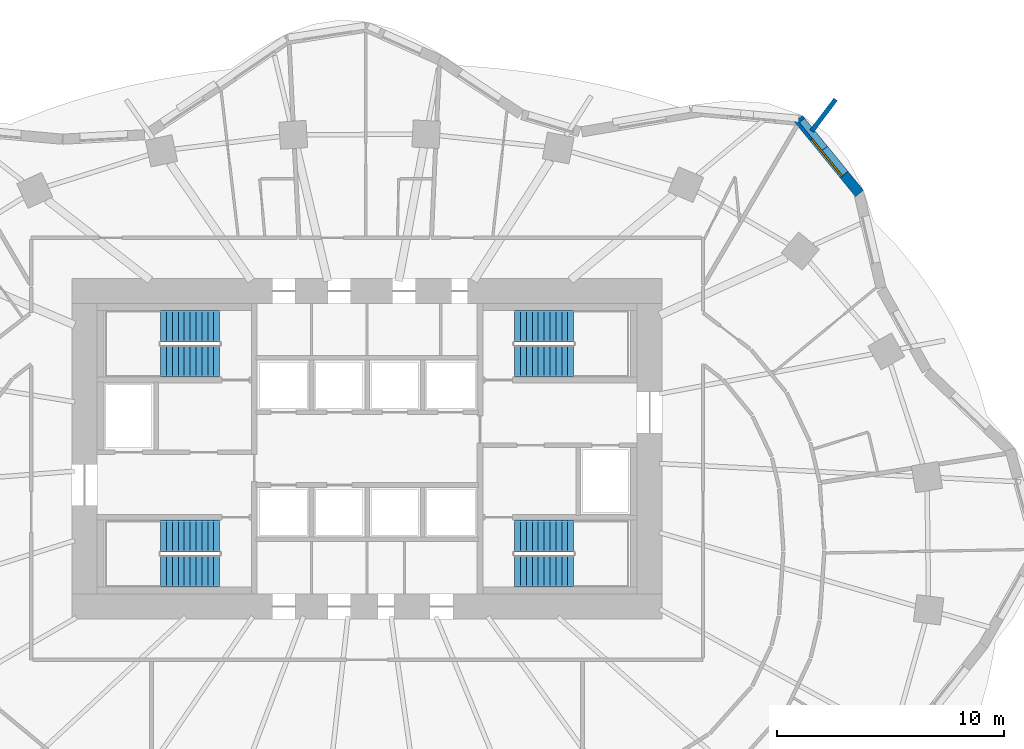
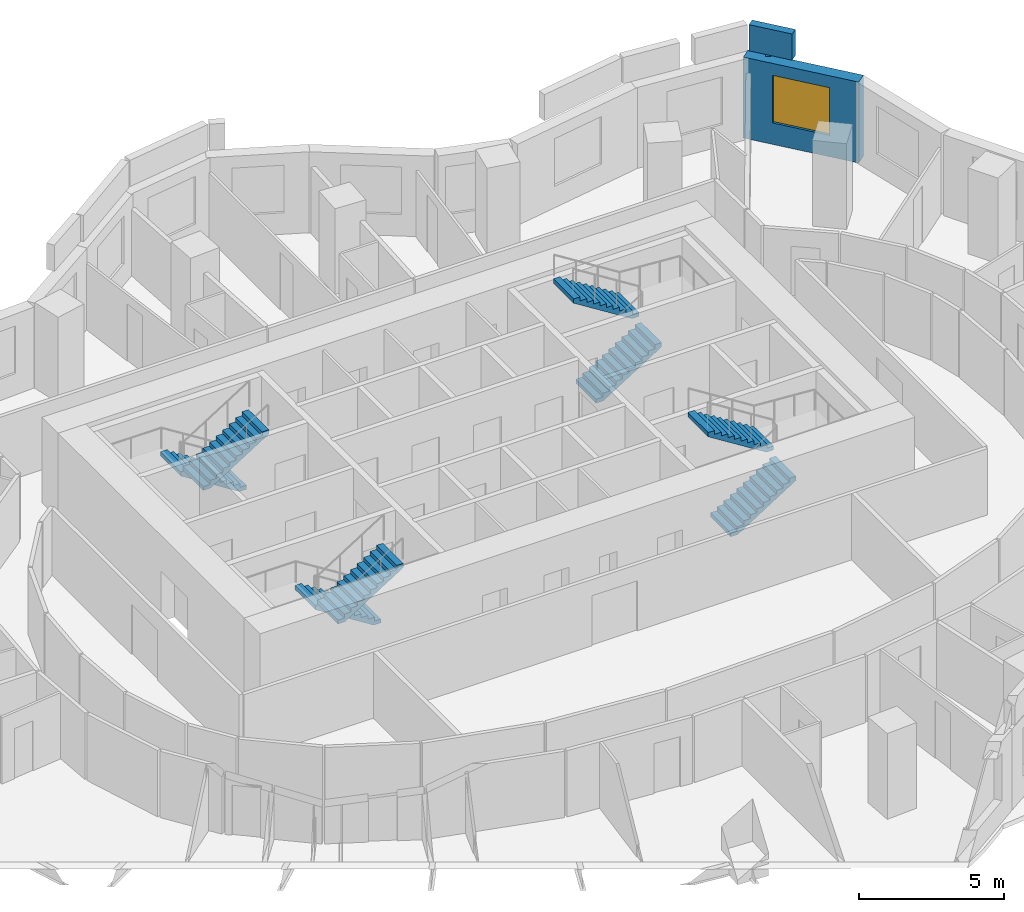
# One storey, part 10 of 11: 8 stair flights, 3 walls, 1 window, 1 opening, 4 elements without a shape of their own.
"""IFC4 building model written with IfcOpenShell, lengths in metres."""

from ifc_helpers import new_model, si_unit, direction, frame, frame_2d, origin, place, context, subcontext, project, spatial, polyline, rectangle, outline, extrude, material, layer, layer_set, type_object, element, fill, aggregate, save


model = new_model("IFC4")

# Units and contexts
model_context = context("Model", 3, precision=1e-05, world=origin(), true_north=direction((0.0, 1.0)))
body_context = subcontext(model_context, "Body", "Model", "MODEL_VIEW")
ifc_project = project(units=[si_unit("LENGTHUNIT", "METRE"), si_unit("AREAUNIT", "SQUARE_METRE"), si_unit("VOLUMEUNIT", "CUBIC_METRE"), si_unit("PLANEANGLEUNIT", "RADIAN"), si_unit("MASSUNIT", "GRAM", prefix="KILO")], contexts=[model_context])

# Site, building, storey
site_placement = place(None, origin())
site = spatial("IfcSite", under=ifc_project, at=site_placement, CompositionType="ELEMENT")
building_placement = place(site_placement, origin())
building = spatial("IfcBuilding", under=site, at=building_placement, Name="Rubra Terraces Tower", CompositionType="ELEMENT")
storey_placement = place(building_placement, frame((0.0, 0.0, 81.60009765625)))
storey = spatial("IfcBuildingStorey", under=building, at=storey_placement, Name="L18", CompositionType="ELEMENT", Elevation=81.60009765625)

# Wall, opening, window
ifc_material_1 = material(Name="Brick masonry red-brown", Category="masonry")
ifc_layer_1 = layer(ifc_material_1, 0.449951171875)
ifc_layer_set_1 = layer_set([ifc_layer_1], Name="Brick masonry red-brown")
wall_type_1 = type_object("IfcWallType", Name="Brick facade wall 450", PredefinedType="SOLIDWALL", material=ifc_layer_set_1)
wall_1_placement = place(storey_placement, frame((21.69580078125, 15.74755859375, 0.0), z_axis=(0.0, 0.0, 1.0), x_axis=(-0.632968710519, 0.774177377288, 0.0)))
wall_1 = element("IfcWall", 1, at=wall_1_placement, inside=storey, type_object=wall_type_1, Name="Facade wall L18 bay 5", PredefinedType="SOLIDWALL", context=body_context, shape_type="SweptSolid", body=[
    extrude(rectangle(XDim=4.249755859375, YDim=0.449951171875, at=frame_2d((2.125, 0.0))), origin(), (0.0, 0.0, 1.0), 3.39990234375),
])
opening_placement = place(wall_1_placement, frame((1.074951171875, 0.0, 0.89990234375)))
opening = element("IfcOpeningElement", 2, at=opening_placement, cuts=wall_1, Name="Opening W1", PredefinedType="OPENING", context=body_context, shape_type="SweptSolid", body=[
    extrude(rectangle(XDim=2.10009765625, YDim=2.0, at=frame_2d((1.050048828125, 1.0))), frame((0.0, 0.23486328125, 0.0), z_axis=(0.0, -1.0, 0.0), x_axis=(1.0, 0.0, 0.0)), (0.0, 0.0, 1.0), 0.469970703125),
])
ifc_material_2 = material(Name="Clear glass in aluminium frame", Category="aluminium")
window_type = type_object("IfcWindowType", Name="Fixed deep-set window 2100 x 2000", PartitioningType="SINGLE_PANEL", PredefinedType="WINDOW", material=ifc_material_2)
window_placement = place(opening_placement, origin())
window = element("IfcWindow", 3, at=window_placement, inside=storey, type_object=window_type, Name="Window L18 bay 5", OverallHeight=2.0, OverallWidth=2.10009765625, PartitioningType="SINGLE_PANEL", PredefinedType="WINDOW", context=body_context, shape_type="SweptSolid", body=[
    extrude(rectangle(XDim=2.10009765625, YDim=2.0, at=frame_2d((1.050048828125, 1.0))), frame((0.0, 0.135009765625, 0.0), z_axis=(0.0, -1.0, 0.0), x_axis=(1.0, 0.0, 0.0)), (0.0, 0.0, 1.0), 0.06005859375),
])
fill(opening, window)

# Walls
ifc_layer_2 = layer(ifc_material_1, 0.300048828125)
ifc_layer_set_2 = layer_set([ifc_layer_2], Name="Brick masonry red-brown")
wall_type_2 = type_object("IfcWallType", Name="Brick parapet 300", PredefinedType="PARAPET", material=ifc_layer_set_2)
wall_2_placement = place(storey_placement, frame((20.16845703125, 17.734130859375, 3.599853515625), z_axis=(0.0, 0.0, 1.0), x_axis=(-0.632995189145, 0.774155727564, 0.0)))
element("IfcWall", 4, at=wall_2_placement, inside=storey, type_object=wall_type_2, Name="Parapet L18 bay 5", PredefinedType="PARAPET", context=body_context, shape_type="SweptSolid", body=[
    extrude(rectangle(XDim=1.58935546875, YDim=0.300048828125, at=frame_2d((0.794677734375, 0.0))), origin(), (0.0, 0.0, 1.0), 1.10009765625),
])
ifc_layer_3 = layer(ifc_material_1, 0.199951171875)
ifc_layer_set_3 = layer_set([ifc_layer_3], Name="Brick masonry red-brown")
wall_type_3 = type_object("IfcWallType", Name="Brick wind fin 200", PredefinedType="SOLIDWALL", material=ifc_layer_set_3)
wall_3_placement = place(storey_placement, frame((19.591064453125, 18.498046875, 0.0), z_axis=(0.0, 0.0, 1.0), x_axis=(0.603387525063, 0.797448114048, 0.0)))
element("IfcWall", 5, at=wall_3_placement, inside=storey, type_object=wall_type_3, Name="Wind fin L18 3", PredefinedType="SOLIDWALL", context=body_context, shape_type="SweptSolid", body=[
    extrude(rectangle(XDim=1.75, YDim=0.199951171875, at=frame_2d((0.875, 0.0))), origin(), (0.0, 0.0, 1.0), 3.39990234375),
])

# Stair, stair flights
ifc_material_3 = material(Name="Concrete C40", Category="concrete")
stair_type = type_object("IfcStairType", Name="Core stair 1400", PredefinedType="HALF_TURN_STAIR", material=ifc_material_3)
stair_1_placement = place(storey_placement, origin())
stair_1 = element("IfcStair", 6, at=stair_1_placement, inside=storey, type_object=stair_type, Name="L18 Exit stair S1", PredefinedType="HALF_TURN_STAIR")
stair_flight_type = type_object("IfcStairFlightType", Name="Core stair flight 1400", PredefinedType="STRAIGHT", material=ifc_material_3)
stair_flight_1_placement = place(storey_placement, frame((-6.5, 0.64990234375, 0.0), z_axis=(0.0, 0.0, 1.0), x_axis=(-1.0, 0.0, 0.0)))
stair_flight_1 = element("IfcStairFlight", 7, at=stair_flight_1_placement, type_object=stair_flight_type, Name="S1 flight 1", NumberOfRisers=11, NumberOfTreads=10, PredefinedType="STRAIGHT", RiserHeight=0.163636364, TreadLength=0.26, context=body_context, shape_type="SweptSolid", body=[
    extrude(outline(polyline([(0.0, 0.0), (0.0, 0.16357421875), (0.260009765625, 0.16357421875), (0.260009765625, 0.327392578125), (0.52001953125, 0.327392578125), (0.52001953125, 0.490966796875), (0.780029296875, 0.490966796875), (0.780029296875, 0.654541015625), (1.0400390625, 0.654541015625), (1.0400390625, 0.818115234375), (1.300048828125, 0.818115234375), (1.300048828125, 0.98193359375), (1.56005859375, 0.98193359375), (1.56005859375, 1.1455078125), (1.820068359375, 1.1455078125), (1.820068359375, 1.30908203125), (2.080078125, 1.30908203125), (2.080078125, 1.47265625), (2.340087890625, 1.47265625), (2.340087890625, 1.636474609375), (2.60009765625, 1.636474609375), (2.60009765625, 1.800048828125), (2.60009765625, 1.459228515625), (0.281494140625, 0.0), (0.0, 0.0)])), frame((0.0, 0.699951171875, 0.0), z_axis=(0.0, -1.0, 0.0), x_axis=(1.0, 0.0, 0.0)), (0.0, 0.0, 1.0), 1.39990234375),
])
stair_flight_2_placement = place(storey_placement, frame((-9.10009765625, -0.89990234375, 1.7998046875), z_axis=(0.0, 0.0, 1.0), x_axis=(1.0, 0.0, 0.0)))
stair_flight_2 = element("IfcStairFlight", 8, at=stair_flight_2_placement, type_object=stair_flight_type, Name="S1 flight 2", NumberOfRisers=11, NumberOfTreads=10, PredefinedType="STRAIGHT", RiserHeight=0.163636364, TreadLength=0.26, context=body_context, shape_type="SweptSolid", body=[
    extrude(outline(polyline([(0.0, 0.0), (0.0, 0.16357421875), (0.260009765625, 0.16357421875), (0.260009765625, 0.327392578125), (0.52001953125, 0.327392578125), (0.52001953125, 0.490966796875), (0.780029296875, 0.490966796875), (0.780029296875, 0.654541015625), (1.0400390625, 0.654541015625), (1.0400390625, 0.818115234375), (1.300048828125, 0.818115234375), (1.300048828125, 0.98193359375), (1.56005859375, 0.98193359375), (1.56005859375, 1.1455078125), (1.820068359375, 1.1455078125), (1.820068359375, 1.30908203125), (2.080078125, 1.30908203125), (2.080078125, 1.47265625), (2.340087890625, 1.47265625), (2.340087890625, 1.636474609375), (2.60009765625, 1.636474609375), (2.60009765625, 1.800048828125), (2.60009765625, 1.459228515625), (0.281494140625, 0.0), (0.0, 0.0)])), frame((0.0, 0.699951171875, 0.0), z_axis=(0.0, -1.0, 0.0), x_axis=(1.0, 0.0, 0.0)), (0.0, 0.0, 1.0), 1.39990234375),
])
aggregate(stair_1, [stair_flight_1, stair_flight_2])

stair_2_placement = place(storey_placement, origin())
stair_2 = element("IfcStair", 9, at=stair_2_placement, inside=storey, type_object=stair_type, Name="L18 Exit stair S2", PredefinedType="HALF_TURN_STAIR")
stair_flight_3_placement = place(storey_placement, frame((-6.5, 9.89990234375, 0.0), z_axis=(0.0, 0.0, 1.0), x_axis=(-1.0, 0.0, 0.0)))
stair_flight_3 = element("IfcStairFlight", 10, at=stair_flight_3_placement, type_object=stair_flight_type, Name="S2 flight 1", NumberOfRisers=11, NumberOfTreads=10, PredefinedType="STRAIGHT", RiserHeight=0.163636364, TreadLength=0.26, context=body_context, shape_type="SweptSolid", body=[
    extrude(outline(polyline([(0.0, 0.0), (0.0, 0.16357421875), (0.260009765625, 0.16357421875), (0.260009765625, 0.327392578125), (0.52001953125, 0.327392578125), (0.52001953125, 0.490966796875), (0.780029296875, 0.490966796875), (0.780029296875, 0.654541015625), (1.0400390625, 0.654541015625), (1.0400390625, 0.818115234375), (1.300048828125, 0.818115234375), (1.300048828125, 0.98193359375), (1.56005859375, 0.98193359375), (1.56005859375, 1.1455078125), (1.820068359375, 1.1455078125), (1.820068359375, 1.30908203125), (2.080078125, 1.30908203125), (2.080078125, 1.47265625), (2.340087890625, 1.47265625), (2.340087890625, 1.636474609375), (2.60009765625, 1.636474609375), (2.60009765625, 1.800048828125), (2.60009765625, 1.459228515625), (0.281494140625, 0.0), (0.0, 0.0)])), frame((0.0, 0.699951171875, 0.0), z_axis=(0.0, -1.0, 0.0), x_axis=(1.0, 0.0, 0.0)), (0.0, 0.0, 1.0), 1.39990234375),
])
stair_flight_4_placement = place(storey_placement, frame((-9.10009765625, 8.35009765625, 1.7998046875), z_axis=(0.0, 0.0, 1.0), x_axis=(1.0, 0.0, 0.0)))
stair_flight_4 = element("IfcStairFlight", 11, at=stair_flight_4_placement, type_object=stair_flight_type, Name="S2 flight 2", NumberOfRisers=11, NumberOfTreads=10, PredefinedType="STRAIGHT", RiserHeight=0.163636364, TreadLength=0.26, context=body_context, shape_type="SweptSolid", body=[
    extrude(outline(polyline([(0.0, 0.0), (0.0, 0.16357421875), (0.260009765625, 0.16357421875), (0.260009765625, 0.327392578125), (0.52001953125, 0.327392578125), (0.52001953125, 0.490966796875), (0.780029296875, 0.490966796875), (0.780029296875, 0.654541015625), (1.0400390625, 0.654541015625), (1.0400390625, 0.818115234375), (1.300048828125, 0.818115234375), (1.300048828125, 0.98193359375), (1.56005859375, 0.98193359375), (1.56005859375, 1.1455078125), (1.820068359375, 1.1455078125), (1.820068359375, 1.30908203125), (2.080078125, 1.30908203125), (2.080078125, 1.47265625), (2.340087890625, 1.47265625), (2.340087890625, 1.636474609375), (2.60009765625, 1.636474609375), (2.60009765625, 1.800048828125), (2.60009765625, 1.459228515625), (0.281494140625, 0.0), (0.0, 0.0)])), frame((0.0, 0.699951171875, 0.0), z_axis=(0.0, -1.0, 0.0), x_axis=(1.0, 0.0, 0.0)), (0.0, 0.0, 1.0), 1.39990234375),
])
aggregate(stair_2, [stair_flight_3, stair_flight_4])

stair_3_placement = place(storey_placement, origin())
stair_3 = element("IfcStair", 12, at=stair_3_placement, inside=storey, type_object=stair_type, Name="L18 Exit stair S3", PredefinedType="HALF_TURN_STAIR")
stair_flight_5_placement = place(storey_placement, frame((6.5, 8.35009765625, 0.0), z_axis=(0.0, 0.0, 1.0), x_axis=(1.0, 0.0, 0.0)))
stair_flight_5 = element("IfcStairFlight", 13, at=stair_flight_5_placement, type_object=stair_flight_type, Name="S3 flight 1", NumberOfRisers=11, NumberOfTreads=10, PredefinedType="STRAIGHT", RiserHeight=0.163636364, TreadLength=0.26, context=body_context, shape_type="SweptSolid", body=[
    extrude(outline(polyline([(0.0, 0.0), (0.0, 0.16357421875), (0.260009765625, 0.16357421875), (0.260009765625, 0.327392578125), (0.52001953125, 0.327392578125), (0.52001953125, 0.490966796875), (0.780029296875, 0.490966796875), (0.780029296875, 0.654541015625), (1.0400390625, 0.654541015625), (1.0400390625, 0.818115234375), (1.300048828125, 0.818115234375), (1.300048828125, 0.98193359375), (1.56005859375, 0.98193359375), (1.56005859375, 1.1455078125), (1.820068359375, 1.1455078125), (1.820068359375, 1.30908203125), (2.080078125, 1.30908203125), (2.080078125, 1.47265625), (2.340087890625, 1.47265625), (2.340087890625, 1.636474609375), (2.60009765625, 1.636474609375), (2.60009765625, 1.800048828125), (2.60009765625, 1.459228515625), (0.281494140625, 0.0), (0.0, 0.0)])), frame((0.0, 0.699951171875, 0.0), z_axis=(0.0, -1.0, 0.0), x_axis=(1.0, 0.0, 0.0)), (0.0, 0.0, 1.0), 1.39990234375),
])
stair_flight_6_placement = place(storey_placement, frame((9.10009765625, 9.89990234375, 1.7998046875), z_axis=(0.0, 0.0, 1.0), x_axis=(-1.0, 0.0, 0.0)))
stair_flight_6 = element("IfcStairFlight", 14, at=stair_flight_6_placement, type_object=stair_flight_type, Name="S3 flight 2", NumberOfRisers=11, NumberOfTreads=10, PredefinedType="STRAIGHT", RiserHeight=0.163636364, TreadLength=0.26, context=body_context, shape_type="SweptSolid", body=[
    extrude(outline(polyline([(0.0, 0.0), (0.0, 0.16357421875), (0.260009765625, 0.16357421875), (0.260009765625, 0.327392578125), (0.52001953125, 0.327392578125), (0.52001953125, 0.490966796875), (0.780029296875, 0.490966796875), (0.780029296875, 0.654541015625), (1.0400390625, 0.654541015625), (1.0400390625, 0.818115234375), (1.300048828125, 0.818115234375), (1.300048828125, 0.98193359375), (1.56005859375, 0.98193359375), (1.56005859375, 1.1455078125), (1.820068359375, 1.1455078125), (1.820068359375, 1.30908203125), (2.080078125, 1.30908203125), (2.080078125, 1.47265625), (2.340087890625, 1.47265625), (2.340087890625, 1.636474609375), (2.60009765625, 1.636474609375), (2.60009765625, 1.800048828125), (2.60009765625, 1.459228515625), (0.281494140625, 0.0), (0.0, 0.0)])), frame((0.0, 0.699951171875, 0.0), z_axis=(0.0, -1.0, 0.0), x_axis=(1.0, 0.0, 0.0)), (0.0, 0.0, 1.0), 1.39990234375),
])
aggregate(stair_3, [stair_flight_5, stair_flight_6])

stair_4_placement = place(storey_placement, origin())
stair_4 = element("IfcStair", 15, at=stair_4_placement, inside=storey, type_object=stair_type, Name="L18 Exit stair S4", PredefinedType="HALF_TURN_STAIR")
stair_flight_7_placement = place(storey_placement, frame((6.5, -0.89990234375, 0.0), z_axis=(0.0, 0.0, 1.0), x_axis=(1.0, 0.0, 0.0)))
stair_flight_7 = element("IfcStairFlight", 16, at=stair_flight_7_placement, type_object=stair_flight_type, Name="S4 flight 1", NumberOfRisers=11, NumberOfTreads=10, PredefinedType="STRAIGHT", RiserHeight=0.163636364, TreadLength=0.26, context=body_context, shape_type="SweptSolid", body=[
    extrude(outline(polyline([(0.0, 0.0), (0.0, 0.16357421875), (0.260009765625, 0.16357421875), (0.260009765625, 0.327392578125), (0.52001953125, 0.327392578125), (0.52001953125, 0.490966796875), (0.780029296875, 0.490966796875), (0.780029296875, 0.654541015625), (1.0400390625, 0.654541015625), (1.0400390625, 0.818115234375), (1.300048828125, 0.818115234375), (1.300048828125, 0.98193359375), (1.56005859375, 0.98193359375), (1.56005859375, 1.1455078125), (1.820068359375, 1.1455078125), (1.820068359375, 1.30908203125), (2.080078125, 1.30908203125), (2.080078125, 1.47265625), (2.340087890625, 1.47265625), (2.340087890625, 1.636474609375), (2.60009765625, 1.636474609375), (2.60009765625, 1.800048828125), (2.60009765625, 1.459228515625), (0.281494140625, 0.0), (0.0, 0.0)])), frame((0.0, 0.699951171875, 0.0), z_axis=(0.0, -1.0, 0.0), x_axis=(1.0, 0.0, 0.0)), (0.0, 0.0, 1.0), 1.39990234375),
])
stair_flight_8_placement = place(storey_placement, frame((9.10009765625, 0.64990234375, 1.7998046875), z_axis=(0.0, 0.0, 1.0), x_axis=(-1.0, 0.0, 0.0)))
stair_flight_8 = element("IfcStairFlight", 17, at=stair_flight_8_placement, type_object=stair_flight_type, Name="S4 flight 2", NumberOfRisers=11, NumberOfTreads=10, PredefinedType="STRAIGHT", RiserHeight=0.163636364, TreadLength=0.26, context=body_context, shape_type="SweptSolid", body=[
    extrude(outline(polyline([(0.0, 0.0), (0.0, 0.16357421875), (0.260009765625, 0.16357421875), (0.260009765625, 0.327392578125), (0.52001953125, 0.327392578125), (0.52001953125, 0.490966796875), (0.780029296875, 0.490966796875), (0.780029296875, 0.654541015625), (1.0400390625, 0.654541015625), (1.0400390625, 0.818115234375), (1.300048828125, 0.818115234375), (1.300048828125, 0.98193359375), (1.56005859375, 0.98193359375), (1.56005859375, 1.1455078125), (1.820068359375, 1.1455078125), (1.820068359375, 1.30908203125), (2.080078125, 1.30908203125), (2.080078125, 1.47265625), (2.340087890625, 1.47265625), (2.340087890625, 1.636474609375), (2.60009765625, 1.636474609375), (2.60009765625, 1.800048828125), (2.60009765625, 1.459228515625), (0.281494140625, 0.0), (0.0, 0.0)])), frame((0.0, 0.699951171875, 0.0), z_axis=(0.0, -1.0, 0.0), x_axis=(1.0, 0.0, 0.0)), (0.0, 0.0, 1.0), 1.39990234375),
])
aggregate(stair_4, [stair_flight_7, stair_flight_8])

save(model, "model.ifc")
